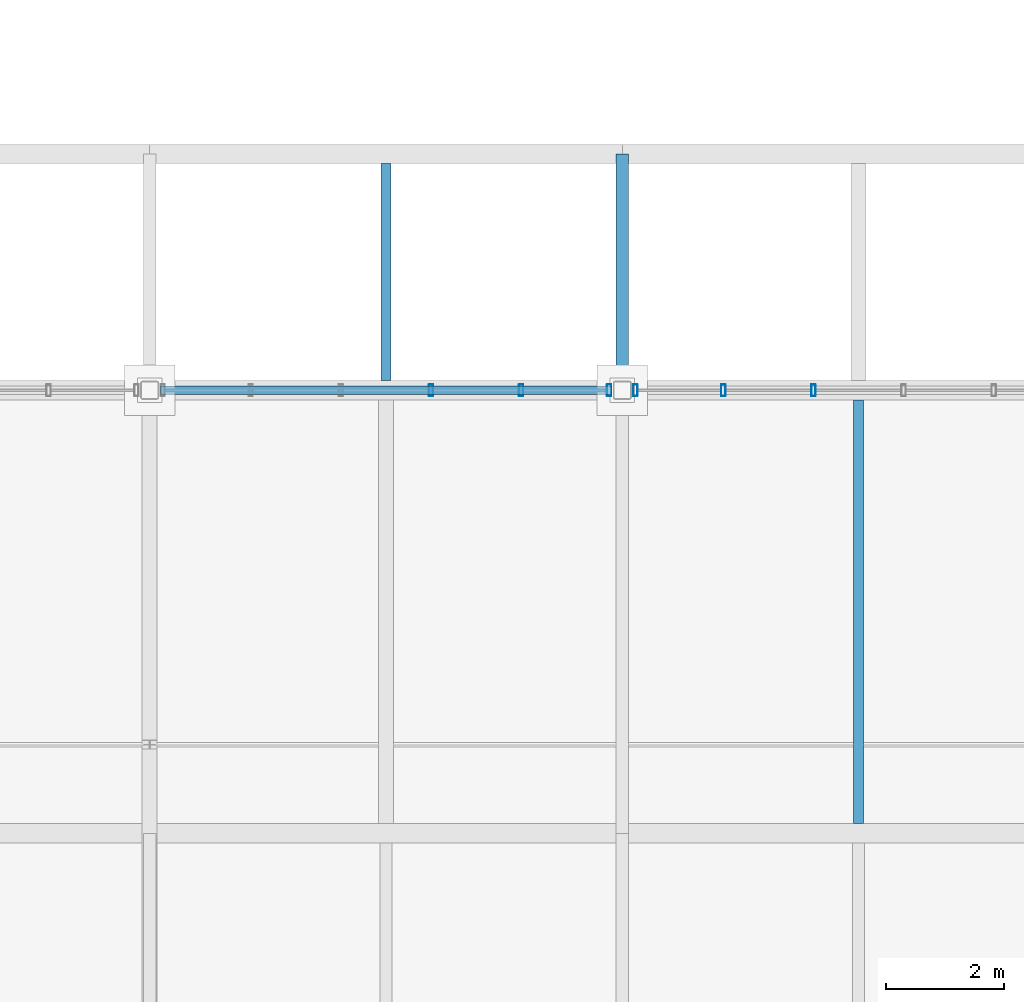
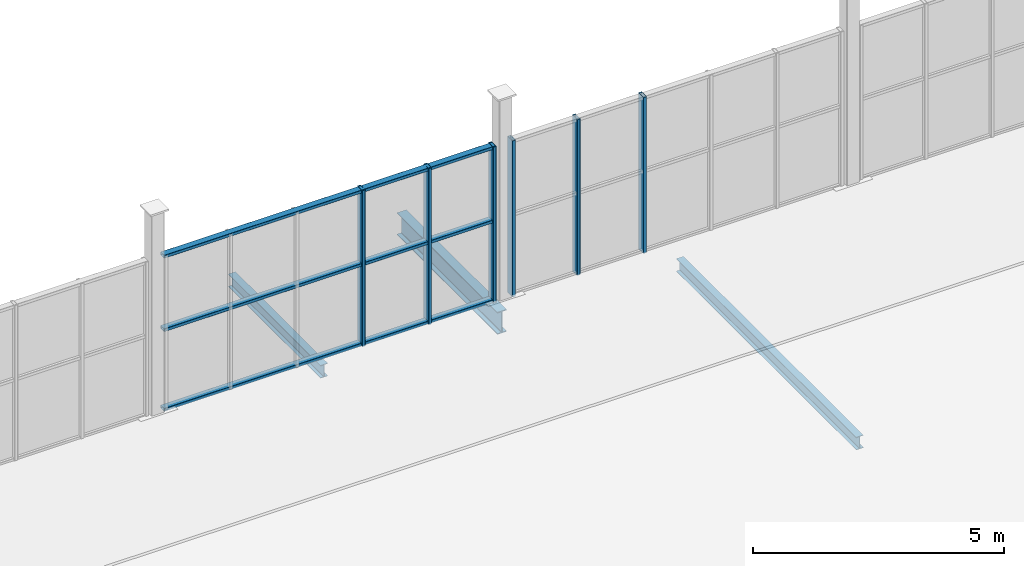
# One storey, part 38 of 96: 9 members, 3 beams, 2 elements without a shape of their own.
"""IFC4 building model written with IfcOpenShell, lengths in metres."""

from ifc_helpers import new_model, si_unit, direction, frame, origin, origin_2d, place, context, subcontext, project, spatial, hollow_rectangle, i_section, extrude, material, material_profile, profile_set, type_object, element, aggregate, save


model = new_model("IFC4")

# Units and contexts
model_context = context("Model", 3, precision=1e-05, world=origin(), true_north=direction((0.0, 1.0)))
body_context = subcontext(model_context, "Body", "Model", "MODEL_VIEW")
ifc_project = project(units=[si_unit("LENGTHUNIT", "METRE"), si_unit("AREAUNIT", "SQUARE_METRE"), si_unit("VOLUMEUNIT", "CUBIC_METRE"), si_unit("PLANEANGLEUNIT", "RADIAN"), si_unit("MASSUNIT", "GRAM", prefix="KILO")], contexts=[model_context])

# Site, building, storey
site_placement = place(None, origin())
site = spatial("IfcSite", under=ifc_project, at=site_placement, CompositionType="ELEMENT")
building_placement = place(site_placement, origin())
building = spatial("IfcBuilding", under=site, at=building_placement, Name="Verrall Gate Interchange", CompositionType="ELEMENT")
storey_placement = place(building_placement, frame((0.0, 0.0, 11.39990234375)))
storey = spatial("IfcBuildingStorey", under=building, at=storey_placement, Name="L03", CompositionType="ELEMENT", Elevation=11.39990234375)

# Beam
ifc_material_1 = material(Name="Structural Steel CSA G40.21 350W", Category="steel")
ifc_material_profile_1 = material_profile(ifc_material_1, i_section(OverallWidth=0.2109375, OverallDepth=0.5390625, WebThickness=0.01171875, FlangeThickness=0.018798828125, FilletRadius=0.013916015625, at=origin_2d()), Name="W530x109")
ifc_profile_set_1 = profile_set([ifc_material_profile_1], Name="Structural Steel CSA G40.21 350W")
beam_type_1 = type_object("IfcBeamType", Name="B-10 Structural Beam W530x109", PredefinedType="BEAM", material=ifc_profile_set_1)
beam_1_placement = place(storey_placement, frame((68.0, 12.0, -0.599365234375), z_axis=(0.0, 1.0, 0.0), x_axis=(-1.0, 0.0, 0.0)))
element("IfcBeam", 1, at=beam_1_placement, inside=storey, type_object=beam_type_1, Name="L03 Girder BM-L03-2289 (B-10)", PredefinedType="BEAM", context=body_context, shape_type="SweptSolid", body=[
    extrude(i_section(OverallWidth=0.2109375, OverallDepth=0.5390625, WebThickness=0.01171875, FlangeThickness=0.018798828125, FilletRadius=0.013916015625, at=origin_2d()), origin(), (0.0, 0.0, 1.0), 4.0),
])

# Curtain wall, members
ifc_material_2 = material(Name="Thermally Broken Anodized Aluminium Curtain Wall Framing", Category="aluminium")
curtain_wall_type = type_object("IfcCurtainWallType", Name="CW-53 Unitized Curtain Wall 7631x3800", PredefinedType="NOTDEFINED", material=ifc_material_2)
curtain_wall_1_placement = place(storey_placement, origin())
curtain_wall_1 = element("IfcCurtainWall", 2, at=curtain_wall_1_placement, inside=storey, type_object=curtain_wall_type, Name="L03 Unitized Curtain Wall CW-L03-CLR-167", PredefinedType="NOTDEFINED")
ifc_material_3 = material(Name="Thermally Broken Anodized Aluminium Curtain Wall Framing", Category="aluminium")
ifc_material_profile_2 = material_profile(ifc_material_3, hollow_rectangle(XDim=0.074951171875, YDim=0.199951171875, WallThickness=0.0048828125, InnerFilletRadius=0.0048828125, OuterFilletRadius=0.010009765625, at=origin_2d()), Name="CWM200x75x5")
ifc_profile_set_2 = profile_set([ifc_material_profile_2], Name="Thermally Broken Anodized Aluminium Curtain Wall Framing")
member_type_1 = type_object("IfcMemberType", Name="CM-02 Curtain Mullion CWM200x75x5", PredefinedType="MULLION", material=ifc_profile_set_2)
member_1_placement = place(storey_placement, frame((64.76318359375, 12.0, 0.0), z_axis=(0.0, 0.0, 1.0), x_axis=(1.0, 0.0, 0.0)))
member_1 = element("IfcMember", 3, at=member_1_placement, type_object=member_type_1, Name="CW-L03-CLR-167 Mullion 4", PredefinedType="MULLION", context=body_context, shape_type="SweptSolid", body=[
    extrude(hollow_rectangle(XDim=0.074951171875, YDim=0.199951171875, WallThickness=0.0048828125, InnerFilletRadius=0.0048828125, OuterFilletRadius=0.010009765625, at=origin_2d()), origin(), (0.0, 0.0, 1.0), 3.800048828125),
])
member_2_placement = place(storey_placement, frame((66.289306640625, 12.0, 0.0), z_axis=(0.0, 0.0, 1.0), x_axis=(1.0, 0.0, 0.0)))
member_2 = element("IfcMember", 4, at=member_2_placement, type_object=member_type_1, Name="CW-L03-CLR-167 Mullion 5", PredefinedType="MULLION", context=body_context, shape_type="SweptSolid", body=[
    extrude(hollow_rectangle(XDim=0.074951171875, YDim=0.199951171875, WallThickness=0.0048828125, InnerFilletRadius=0.0048828125, OuterFilletRadius=0.010009765625, at=origin_2d()), origin(), (0.0, 0.0, 1.0), 3.800048828125),
])
member_3_placement = place(storey_placement, frame((67.778076171875, 12.0, 0.0), z_axis=(0.0, 0.0, 1.0), x_axis=(1.0, 0.0, 0.0)))
member_3 = element("IfcMember", 5, at=member_3_placement, type_object=member_type_1, Name="CW-L03-CLR-167 Mullion 6", PredefinedType="MULLION", context=body_context, shape_type="SweptSolid", body=[
    extrude(hollow_rectangle(XDim=0.074951171875, YDim=0.199951171875, WallThickness=0.0048828125, InnerFilletRadius=0.0048828125, OuterFilletRadius=0.010009765625, at=origin_2d()), origin(), (0.0, 0.0, 1.0), 3.800048828125),
])

curtain_wall_2_placement = place(storey_placement, origin())
curtain_wall_2 = element("IfcCurtainWall", 6, at=curtain_wall_2_placement, inside=storey, type_object=curtain_wall_type, Name="L03 Unitized Curtain Wall CW-L03-CLR-168", PredefinedType="NOTDEFINED")
member_4_placement = place(storey_placement, frame((68.221923828125, 12.0, 0.0), z_axis=(0.0, 0.0, 1.0), x_axis=(1.0, 0.0, 0.0)))
member_4 = element("IfcMember", 7, at=member_4_placement, type_object=member_type_1, Name="CW-L03-CLR-168 Mullion 1", PredefinedType="MULLION", context=body_context, shape_type="SweptSolid", body=[
    extrude(hollow_rectangle(XDim=0.074951171875, YDim=0.199951171875, WallThickness=0.0048828125, InnerFilletRadius=0.0048828125, OuterFilletRadius=0.010009765625, at=origin_2d()), origin(), (0.0, 0.0, 1.0), 3.800048828125),
])
member_5_placement = place(storey_placement, frame((69.710693359375, 12.0, 0.0), z_axis=(0.0, 0.0, 1.0), x_axis=(1.0, 0.0, 0.0)))
member_5 = element("IfcMember", 8, at=member_5_placement, type_object=member_type_1, Name="CW-L03-CLR-168 Mullion 2", PredefinedType="MULLION", context=body_context, shape_type="SweptSolid", body=[
    extrude(hollow_rectangle(XDim=0.074951171875, YDim=0.199951171875, WallThickness=0.0048828125, InnerFilletRadius=0.0048828125, OuterFilletRadius=0.010009765625, at=origin_2d()), origin(), (0.0, 0.0, 1.0), 3.800048828125),
])
member_6_placement = place(storey_placement, frame((71.23681640625, 12.0, 0.0), z_axis=(0.0, 0.0, 1.0), x_axis=(1.0, 0.0, 0.0)))
member_6 = element("IfcMember", 9, at=member_6_placement, type_object=member_type_1, Name="CW-L03-CLR-168 Mullion 3", PredefinedType="MULLION", context=body_context, shape_type="SweptSolid", body=[
    extrude(hollow_rectangle(XDim=0.074951171875, YDim=0.199951171875, WallThickness=0.0048828125, InnerFilletRadius=0.0048828125, OuterFilletRadius=0.010009765625, at=origin_2d()), origin(), (0.0, 0.0, 1.0), 3.800048828125),
])
aggregate(curtain_wall_2, [member_4, member_5, member_6])

# Member
ifc_material_4 = material(Name="Thermally Broken Anodized Aluminium Curtain Wall Framing", Category="aluminium")
ifc_material_profile_3 = material_profile(ifc_material_4, hollow_rectangle(XDim=0.14990234375, YDim=0.074951171875, WallThickness=0.00439453125, InnerFilletRadius=0.00439453125, OuterFilletRadius=0.009033203125, at=origin_2d()), Name="CWT150x75x4.5")
ifc_profile_set_3 = profile_set([ifc_material_profile_3], Name="Thermally Broken Anodized Aluminium Curtain Wall Framing")
member_type_2 = type_object("IfcMemberType", Name="CT-02 Curtain Transom CWT150x75x4.5", PredefinedType="USERDEFINED", material=ifc_profile_set_3)
member_7_placement = place(storey_placement, frame((60.1845703125, 12.0, 0.03759765625), z_axis=(1.0, 0.0, 0.0), x_axis=(0.0, 1.0, 0.0)))
member_7 = element("IfcMember", 10, at=member_7_placement, type_object=member_type_2, Name="CW-L03-CLR-167 Transom 1", ObjectType="TRANSOM", PredefinedType="USERDEFINED", context=body_context, shape_type="SweptSolid", body=[
    extrude(hollow_rectangle(XDim=0.14990234375, YDim=0.074951171875, WallThickness=0.00439453125, InnerFilletRadius=0.00439453125, OuterFilletRadius=0.009033203125, at=origin_2d()), origin(), (0.0, 0.0, 1.0), 7.630859375),
])

member_8_placement = place(storey_placement, frame((60.1845703125, 12.0, 1.97607421875), z_axis=(1.0, 0.0, 0.0), x_axis=(0.0, 1.0, 0.0)))
member_8 = element("IfcMember", 11, at=member_8_placement, type_object=member_type_2, Name="CW-L03-CLR-167 Transom 2", ObjectType="TRANSOM", PredefinedType="USERDEFINED", context=body_context, shape_type="SweptSolid", body=[
    extrude(hollow_rectangle(XDim=0.14990234375, YDim=0.074951171875, WallThickness=0.00439453125, InnerFilletRadius=0.00439453125, OuterFilletRadius=0.009033203125, at=origin_2d()), origin(), (0.0, 0.0, 1.0), 7.630859375),
])

member_9_placement = place(storey_placement, frame((60.1845703125, 12.0, 3.7626953125), z_axis=(1.0, 0.0, 0.0), x_axis=(0.0, 1.0, 0.0)))
member_9 = element("IfcMember", 12, at=member_9_placement, type_object=member_type_2, Name="CW-L03-CLR-167 Transom 3", ObjectType="TRANSOM", PredefinedType="USERDEFINED", context=body_context, shape_type="SweptSolid", body=[
    extrude(hollow_rectangle(XDim=0.14990234375, YDim=0.074951171875, WallThickness=0.00439453125, InnerFilletRadius=0.00439453125, OuterFilletRadius=0.009033203125, at=origin_2d()), origin(), (0.0, 0.0, 1.0), 7.630859375),
])

aggregate(curtain_wall_1, [member_1, member_2, member_3, member_7, member_8, member_9])

# Beams
ifc_material_5 = material(Name="Structural Steel CSA G40.21 350W", Category="steel")
ifc_material_profile_4 = material_profile(ifc_material_5, i_section(OverallWidth=0.1650390625, OverallDepth=0.31005859375, WebThickness=0.005859375, FlangeThickness=0.009765625, FilletRadius=0.010009765625, at=origin_2d()), Name="W310x39")
ifc_profile_set_4 = profile_set([ifc_material_profile_4], Name="Structural Steel CSA G40.21 350W")
beam_type_2 = type_object("IfcBeamType", Name="J-04 Floor Joist W310x39", PredefinedType="JOIST", material=ifc_profile_set_4)
beam_2_placement = place(storey_placement, frame((72.0, 4.662109375, -0.48486328125), z_axis=(0.0, 1.0, 0.0), x_axis=(-1.0, 0.0, 0.0)))
element("IfcBeam", 13, at=beam_2_placement, inside=storey, type_object=beam_type_2, Name="L03 Secondary Floor Joist JST-L03-2402", PredefinedType="JOIST", context=body_context, shape_type="SweptSolid", body=[
    extrude(i_section(OverallWidth=0.1650390625, OverallDepth=0.31005859375, WebThickness=0.005859375, FlangeThickness=0.009765625, FilletRadius=0.010009765625, at=origin_2d()), origin(), (0.0, 0.0, 1.0), 7.17578125),
])
beam_3_placement = place(storey_placement, frame((64.0, 12.162109375, -0.48486328125), z_axis=(0.0, 1.0, 0.0), x_axis=(-1.0, 0.0, 0.0)))
element("IfcBeam", 14, at=beam_3_placement, inside=storey, type_object=beam_type_2, Name="L03 Secondary Floor Joist JST-L03-2413", PredefinedType="JOIST", context=body_context, shape_type="SweptSolid", body=[
    extrude(i_section(OverallWidth=0.1650390625, OverallDepth=0.31005859375, WebThickness=0.005859375, FlangeThickness=0.009765625, FilletRadius=0.010009765625, at=origin_2d()), origin(), (0.0, 0.0, 1.0), 3.67578125),
])

save(model, "model.ifc")
